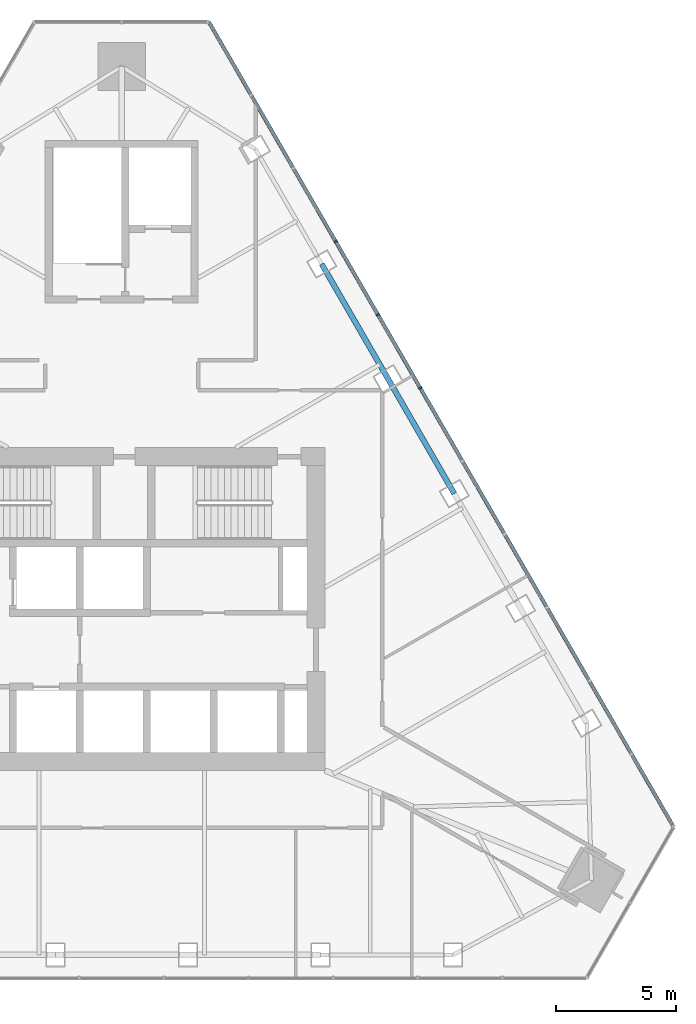
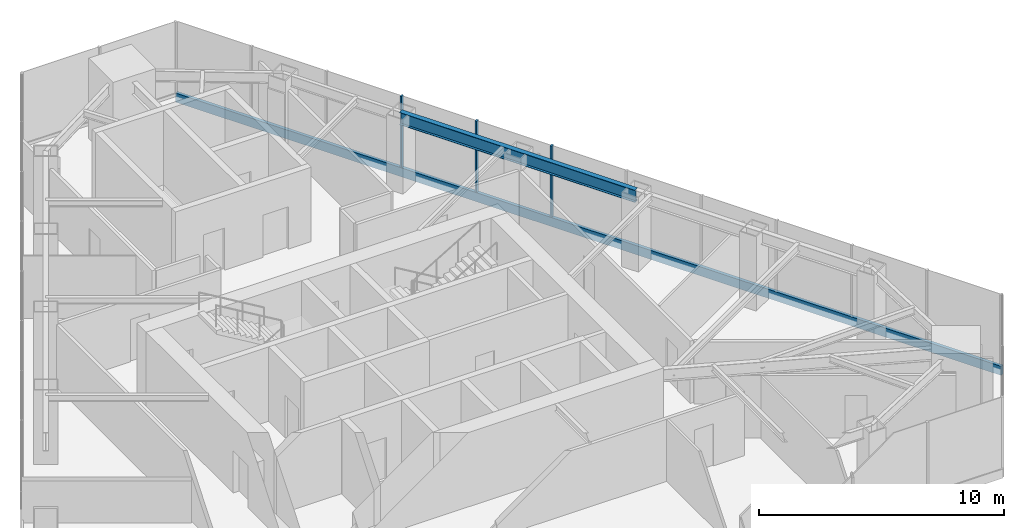
# One storey, part 8 of 13: 4 members, 1 beam, 1 element without a shape of its own.
"""IFC4 building model written with IfcOpenShell, lengths in metres."""

from ifc_helpers import new_model, si_unit, direction, frame, origin, origin_2d, place, context, subcontext, project, spatial, rectangle, i_section, extrude, material, layer, layer_set, material_profile, profile_set, type_object, element, aggregate, save


model = new_model("IFC4")

# Units and contexts
model_context = context("Model", 3, precision=1e-05, world=origin(), true_north=direction((0.0, 1.0)))
body_context = subcontext(model_context, "Body", "Model", "MODEL_VIEW")
ifc_project = project(units=[si_unit("LENGTHUNIT", "METRE"), si_unit("AREAUNIT", "SQUARE_METRE"), si_unit("VOLUMEUNIT", "CUBIC_METRE"), si_unit("PLANEANGLEUNIT", "RADIAN"), si_unit("MASSUNIT", "GRAM", prefix="KILO")], contexts=[model_context])

# Site, building, storey
site_placement = place(None, origin())
site = spatial("IfcSite", under=ifc_project, at=site_placement, CompositionType="ELEMENT")
building_placement = place(site_placement, origin())
building = spatial("IfcBuilding", under=site, at=building_placement, Name="Firuza Gate Tower and Library", CompositionType="ELEMENT")
storey_placement = place(building_placement, frame((0.0, 0.0, 335.60009765625)))
storey = spatial("IfcBuildingStorey", under=building, at=storey_placement, Name="L82", CompositionType="ELEMENT", Elevation=335.60009765625)

# Curtain wall, members
ifc_material_1 = material(Name="Aluminium 6063-T6", Category="aluminium")
ifc_layer = layer(ifc_material_1, 0.14990234375)
ifc_layer_set = layer_set([ifc_layer], Name="Ceramic screen wall, crown plant")
curtain_wall_type = type_object("IfcCurtainWallType", Name="Ceramic screen wall, crown plant", PredefinedType="NOTDEFINED", material=ifc_layer_set)
curtain_wall_placement = place(storey_placement, origin())
curtain_wall = element("IfcCurtainWall", 1, at=curtain_wall_placement, inside=storey, type_object=curtain_wall_type, Name="CW6 L82 E", PredefinedType="NOTDEFINED")
ifc_material_2 = material(Name="Aluminium 6063-T6", Category="aluminium")
ifc_material_profile_1 = material_profile(ifc_material_2, rectangle(XDim=0.14990234375, YDim=0.080078125, at=origin_2d()))
ifc_profile_set_1 = profile_set([ifc_material_profile_1], Name="Aluminium 6063-T6")
member_type_1 = type_object("IfcMemberType", Name="Curtain wall mullion 80x150", PredefinedType="MULLION", material=ifc_profile_set_1)
member_1_placement = place(storey_placement, frame((87.481201171875, 84.2470703125, 0.14990234375), z_axis=(0.0, 0.0, 1.0), x_axis=(-0.866025403784, -0.5, 0.0)))
member_1 = element("IfcMember", 2, at=member_1_placement, type_object=member_type_1, Name="Mullion", PredefinedType="MULLION", context=body_context, shape_type="SweptSolid", body=[
    extrude(rectangle(XDim=0.14990234375, YDim=0.080078125, at=origin_2d()), origin(), (0.0, 0.0, 1.0), 3.550048828125),
])
member_2_placement = place(storey_placement, frame((85.713623046875, 87.30859375, 0.14990234375), z_axis=(0.0, 0.0, 1.0), x_axis=(-0.866025403784, -0.5, 0.0)))
member_2 = element("IfcMember", 3, at=member_2_placement, type_object=member_type_1, Name="Mullion", PredefinedType="MULLION", context=body_context, shape_type="SweptSolid", body=[
    extrude(rectangle(XDim=0.14990234375, YDim=0.080078125, at=origin_2d()), origin(), (0.0, 0.0, 1.0), 3.550048828125),
])
member_3_placement = place(storey_placement, frame((83.946044921875, 90.3701171875, 0.14990234375), z_axis=(0.0, 0.0, 1.0), x_axis=(-0.866025403784, -0.5, 0.0)))
member_3 = element("IfcMember", 4, at=member_3_placement, type_object=member_type_1, Name="Mullion", PredefinedType="MULLION", context=body_context, shape_type="SweptSolid", body=[
    extrude(rectangle(XDim=0.14990234375, YDim=0.080078125, at=origin_2d()), origin(), (0.0, 0.0, 1.0), 3.550048828125),
])
ifc_material_3 = material(Name="Aluminium 6063-T6", Category="aluminium")
ifc_material_profile_2 = material_profile(ifc_material_3, rectangle(XDim=0.14990234375, YDim=0.449951171875, at=origin_2d()))
ifc_profile_set_2 = profile_set([ifc_material_profile_2], Name="Aluminium 6063-T6")
member_type_2 = type_object("IfcMemberType", Name="Curtain wall transom 450x150", PredefinedType="USERDEFINED", material=ifc_profile_set_2)
member_4_placement = place(storey_placement, frame((98.086669921875, 65.8779296875, -0.0751953125), z_axis=(-0.500001430823, 0.866024577697, 0.0), x_axis=(-0.866024577697, -0.500001430823, 0.0)))
member_4 = element("IfcMember", 5, at=member_4_placement, type_object=member_type_2, Name="Transom", ObjectType="TRANSOM", PredefinedType="USERDEFINED", context=body_context, shape_type="SweptSolid", body=[
    extrude(rectangle(XDim=0.14990234375, YDim=0.449951171875, at=origin_2d()), origin(), (0.0, 0.0, 1.0), 38.88671875),
])
aggregate(curtain_wall, [member_1, member_2, member_3, member_4])

# Beam
ifc_material_4 = material(Name="Steel S355", Category="steel")
ifc_material_profile_3 = material_profile(ifc_material_4, i_section(OverallWidth=0.22900390625, OverallDepth=0.612060546875, WebThickness=0.011962890625, FlangeThickness=0.01953125, at=origin_2d()))
ifc_profile_set_3 = profile_set([ifc_material_profile_3], Name="Steel S355")
beam_type = type_object("IfcBeamType", Name="W610x125 Edge beam", PredefinedType="SPANDREL", material=ifc_profile_set_3)
beam_placement = place(storey_placement, frame((88.90625, 79.82861328125, 3.393798828125), z_axis=(-0.499988074738, 0.866032288728, 0.0), x_axis=(-0.866032288728, -0.499988074738, 0.0)))
element("IfcBeam", 6, at=beam_placement, inside=storey, type_object=beam_type, Name="Edge beam L82 e52", PredefinedType="SPANDREL", context=body_context, shape_type="SweptSolid", body=[
    extrude(i_section(OverallWidth=0.22900390625, OverallDepth=0.612060546875, WebThickness=0.011962890625, FlangeThickness=0.01953125, at=origin_2d()), origin(), (0.0, 0.0, 1.0), 11.085693359375),
])

save(model, "model.ifc")
